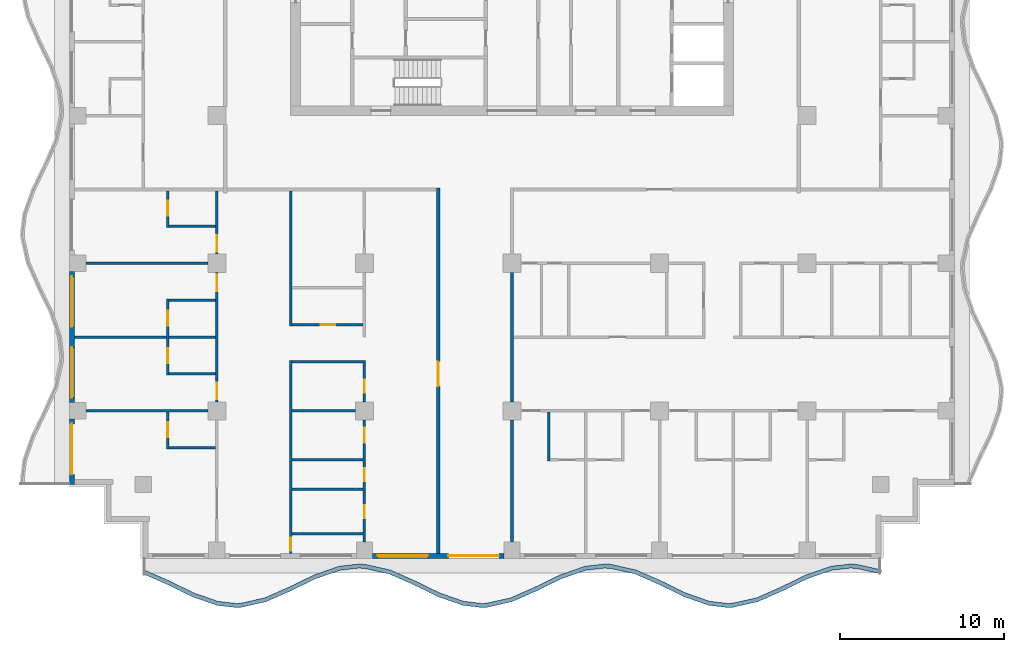
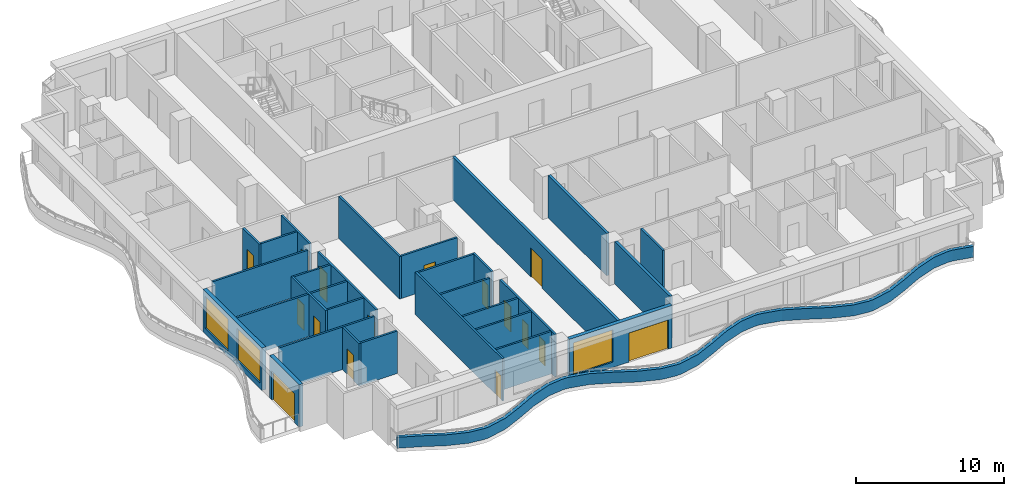
# One storey, part 2 of 12: 31 walls, 16 doors, 3 windows, 19 openings.
"""IFC4 building model written with IfcOpenShell, lengths in metres."""

from ifc_helpers import new_model, si_unit, direction, frame, frame_2d, origin, place, context, subcontext, project, spatial, polyline, rectangle, outline, extrude, material, layer, layer_set, type_object, element, fill, save


model = new_model("IFC4")

# Units and contexts
model_context = context("Model", 3, precision=1e-05, world=origin(), true_north=direction((0.0, 1.0)))
body_context = subcontext(model_context, "Body", "Model", "MODEL_VIEW")
ifc_project = project(units=[si_unit("LENGTHUNIT", "METRE"), si_unit("AREAUNIT", "SQUARE_METRE"), si_unit("VOLUMEUNIT", "CUBIC_METRE"), si_unit("PLANEANGLEUNIT", "RADIAN"), si_unit("MASSUNIT", "GRAM", prefix="KILO")], contexts=[model_context])

# Site, building, storey
site_placement = place(None, origin())
site = spatial("IfcSite", under=ifc_project, at=site_placement, CompositionType="ELEMENT")
building_placement = place(site_placement, origin())
building = spatial("IfcBuilding", under=site, at=building_placement, Name="Orbiselva Terraces", CompositionType="ELEMENT")
storey_placement = place(building_placement, frame((0.0, 0.0, 207.2)))
storey = spatial("IfcBuildingStorey", under=building, at=storey_placement, Name="L52", CompositionType="ELEMENT", Elevation=207.2)

# Wall
ifc_material_1 = material(Name="Concrete C40/50", Category="concrete")
ifc_layer_1 = layer(ifc_material_1, 0.25)
ifc_layer_set_1 = layer_set([ifc_layer_1], Name="Concrete C40/50")
wall_type_1 = type_object("IfcWallType", Name="ENV-PLANTER-250x900", PredefinedType="USERDEFINED", material=ifc_layer_set_1)
wall_1_placement = place(storey_placement, origin())
element("IfcWall", 1, at=wall_1_placement, inside=storey, type_object=wall_type_1, Name="Balcony planter L52 S", ObjectType="PLANTER", PredefinedType="USERDEFINED", context=body_context, shape_type="SweptSolid", body=[
    extrude(outline(polyline([(-22.5, -23.451472), (-21.0, -24.112279), (-19.5, -24.844789), (-18.0, -25.369208), (-16.875, -25.5), (-16.5, -25.485226), (-15.0, -25.148528), (-13.5, -24.487721), (-12.0, -23.755211), (-10.5, -23.230792), (-9.375, -23.1), (-9.0, -23.114774), (-7.5, -23.451472), (-6.0, -24.112279), (-4.5, -24.844789), (-3.0, -25.369208), (-1.875, -25.5), (-1.5, -25.485226), (0.0, -25.148528), (1.5, -24.487721), (3.0, -23.755211), (4.5, -23.230792), (5.625, -23.1), (6.0, -23.114774), (7.5, -23.451472), (9.0, -24.112279), (10.5, -24.844789), (12.0, -25.369208), (13.125, -25.5), (13.5, -25.485226), (15.0, -25.148528), (16.5, -24.487721), (18.0, -23.755211), (19.5, -23.230792), (20.625, -23.1), (21.0, -23.114774), (22.5, -23.451472), (22.554754, -23.207542), (21.032565, -22.865863), (20.615428, -22.849429), (19.443629, -22.985662), (17.90356, -23.524089), (16.394714, -24.260919), (14.921492, -24.90993), (13.467435, -25.236315), (13.134572, -25.249429), (12.056371, -25.124078), (10.59644, -24.613667), (9.105286, -23.885477), (7.578508, -23.212874), (6.032565, -22.865863), (5.615428, -22.849429), (4.443629, -22.985662), (2.90356, -23.524089), (1.394714, -24.260919), (-0.078508, -24.90993), (-1.532565, -25.236315), (-1.865428, -25.249429), (-2.943629, -25.124078), (-4.40356, -24.613667), (-5.894714, -23.885477), (-7.421492, -23.212874), (-8.967435, -22.865863), (-9.384572, -22.849429), (-10.556371, -22.985662), (-12.09644, -23.524089), (-13.605286, -24.260919), (-15.078508, -24.90993), (-16.532565, -25.236315), (-16.865428, -25.249429), (-17.943629, -25.124078), (-19.40356, -24.613667), (-20.894714, -23.885477), (-22.399212, -23.222689), (-22.5, -23.451472)])), origin(), (0.0, 0.0, 1.0), 0.9),
])

# Wall, openings, door, window
ifc_material_2 = material(Name="Terracotta cladding on masonry backing", Category="masonry")
ifc_layer_2 = layer(ifc_material_2, 0.3)
ifc_layer_set_2 = layer_set([ifc_layer_2], Name="Terracotta cladding on masonry backing")
wall_type_2 = type_object("IfcWallType", Name="ENV-WALL-TERRACOTTA-300", PredefinedType="SOLIDWALL", material=ifc_layer_set_2)
wall_2_placement = place(storey_placement, frame((-0.5, -22.35, 0.0), z_axis=(0.0, 0.0, 1.0), x_axis=(-1.0, 0.0, 0.0)))
wall_2 = element("IfcWall", 2, at=wall_2_placement, inside=storey, type_object=wall_type_2, Name="Facade wall L52 S", PredefinedType="SOLIDWALL", context=body_context, shape_type="SweptSolid", body=[
    extrude(rectangle(XDim=8.0, YDim=0.3, at=frame_2d((4.0, 0.0))), origin(), (0.0, 0.0, 1.0), 3.5),
])
opening_1_placement = place(wall_2_placement, frame((4.625, 0.0, 0.45)))
opening_1 = element("IfcOpeningElement", 3, at=opening_1_placement, cuts=wall_2, Name="Opening WN15", PredefinedType="OPENING", context=body_context, shape_type="SweptSolid", body=[
    extrude(rectangle(XDim=3.075, YDim=2.65, at=frame_2d((1.5375, 1.325))), frame((0.0, 0.16, 0.0), z_axis=(0.0, -1.0, 0.0), x_axis=(1.0, 0.0, 0.0)), (0.0, 0.0, 1.0), 0.32),
])
opening_2_placement = place(wall_2_placement, frame((0.3, 0.0, 0.0)))
opening_2 = element("IfcOpeningElement", 4, at=opening_2_placement, cuts=wall_2, Name="Opening Z4-C-E02", PredefinedType="OPENING", context=body_context, shape_type="SweptSolid", body=[
    extrude(rectangle(XDim=3.075, YDim=2.4, at=frame_2d((1.5375, 1.2))), frame((0.0, 0.16, 0.0), z_axis=(0.0, -1.0, 0.0), x_axis=(1.0, 0.0, 0.0)), (0.0, 0.0, 1.0), 0.32),
])
ifc_material_3 = material(Name="Clear low-e glazing in aluminium frame", Category="aluminium")
door_type_1 = type_object("IfcDoorType", Name="BALCONY DOOR 3075 X 2400", OperationType="DOUBLE_DOOR_SLIDING", PredefinedType="DOOR", material=ifc_material_3)
door_1_placement = place(opening_2_placement, origin())
door_1 = element("IfcDoor", 5, at=door_1_placement, inside=storey, type_object=door_type_1, Name="Z4-C-E02", OperationType="SINGLE_SWING_LEFT", OverallHeight=2.4, OverallWidth=3.075, PredefinedType="DOOR", context=body_context, shape_type="SweptSolid", body=[
    extrude(rectangle(XDim=3.075, YDim=2.4, at=frame_2d((1.5375, 1.2))), frame((0.0, 0.025, 0.0), z_axis=(0.0, -1.0, 0.0), x_axis=(1.0, 0.0, 0.0)), (0.0, 0.0, 1.0), 0.05),
])
fill(opening_2, door_1)
window_type = type_object("IfcWindowType", Name="WINDOW 3075 X 2650 S450", PartitioningType="TRIPLE_PANEL_VERTICAL", PredefinedType="WINDOW", material=ifc_material_3)
window_1_placement = place(opening_1_placement, origin())
window_1 = element("IfcWindow", 6, at=window_1_placement, inside=storey, type_object=window_type, Name="Window L52 S", OverallHeight=2.65, OverallWidth=3.075, PartitioningType="SINGLE_PANEL", PredefinedType="WINDOW", context=body_context, shape_type="SweptSolid", body=[
    extrude(rectangle(XDim=3.075, YDim=2.65, at=frame_2d((1.5375, 1.325))), frame((0.0, 0.03, 0.0), z_axis=(0.0, -1.0, 0.0), x_axis=(1.0, 0.0, 0.0)), (0.0, 0.0, 1.0), 0.06),
])
fill(opening_1, window_1)

# Wall, openings, windows
wall_3_placement = place(storey_placement, frame((-26.85, -13.0, 0.0), z_axis=(0.0, 0.0, 1.0), x_axis=(0.0, 1.0, 0.0)))
wall_3 = element("IfcWall", 7, at=wall_3_placement, inside=storey, type_object=wall_type_2, Name="Facade wall L52 W", PredefinedType="SOLIDWALL", context=body_context, shape_type="SweptSolid", body=[
    extrude(rectangle(XDim=8.0, YDim=0.3, at=frame_2d((4.0, 0.0))), origin(), (0.0, 0.0, 1.0), 3.5),
])
opening_3_placement = place(wall_3_placement, frame((4.625, 0.0, 0.45)))
opening_3 = element("IfcOpeningElement", 8, at=opening_3_placement, cuts=wall_3, Name="Opening WN15", PredefinedType="OPENING", context=body_context, shape_type="SweptSolid", body=[
    extrude(rectangle(XDim=3.075, YDim=2.65, at=frame_2d((1.5375, 1.325))), frame((0.0, 0.16, 0.0), z_axis=(0.0, -1.0, 0.0), x_axis=(1.0, 0.0, 0.0)), (0.0, 0.0, 1.0), 0.32),
])
opening_4_placement = place(wall_3_placement, frame((0.3, 0.0, 0.45)))
opening_4 = element("IfcOpeningElement", 9, at=opening_4_placement, cuts=wall_3, Name="Opening WN15", PredefinedType="OPENING", context=body_context, shape_type="SweptSolid", body=[
    extrude(rectangle(XDim=3.075, YDim=2.65, at=frame_2d((1.5375, 1.325))), frame((0.0, 0.16, 0.0), z_axis=(0.0, -1.0, 0.0), x_axis=(1.0, 0.0, 0.0)), (0.0, 0.0, 1.0), 0.32),
])
window_2_placement = place(opening_3_placement, origin())
window_2 = element("IfcWindow", 10, at=window_2_placement, inside=storey, type_object=window_type, Name="Window L52 W", OverallHeight=2.65, OverallWidth=3.075, PartitioningType="SINGLE_PANEL", PredefinedType="WINDOW", context=body_context, shape_type="SweptSolid", body=[
    extrude(rectangle(XDim=3.075, YDim=2.65, at=frame_2d((1.5375, 1.325))), frame((0.0, 0.03, 0.0), z_axis=(0.0, -1.0, 0.0), x_axis=(1.0, 0.0, 0.0)), (0.0, 0.0, 1.0), 0.06),
])
fill(opening_3, window_2)
window_3_placement = place(opening_4_placement, origin())
window_3 = element("IfcWindow", 11, at=window_3_placement, inside=storey, type_object=window_type, Name="Window L52 W", OverallHeight=2.65, OverallWidth=3.075, PartitioningType="SINGLE_PANEL", PredefinedType="WINDOW", context=body_context, shape_type="SweptSolid", body=[
    extrude(rectangle(XDim=3.075, YDim=2.65, at=frame_2d((1.5375, 1.325))), frame((0.0, 0.03, 0.0), z_axis=(0.0, -1.0, 0.0), x_axis=(1.0, 0.0, 0.0)), (0.0, 0.0, 1.0), 0.06),
])
fill(opening_4, window_3)

# Wall, opening, door
wall_4_placement = place(storey_placement, frame((-26.85, -18.0, 0.0), z_axis=(0.0, 0.0, 1.0), x_axis=(0.0, 1.0, 0.0)))
wall_4 = element("IfcWall", 12, at=wall_4_placement, inside=storey, type_object=wall_type_2, Name="Facade wall L52 W", PredefinedType="SOLIDWALL", context=body_context, shape_type="SweptSolid", body=[
    extrude(rectangle(XDim=4.0, YDim=0.3, at=frame_2d((2.0, 0.0))), origin(), (0.0, 0.0, 1.0), 3.5),
])
opening_5_placement = place(wall_4_placement, frame((0.625, 0.0, 0.0)))
opening_5 = element("IfcOpeningElement", 13, at=opening_5_placement, cuts=wall_4, Name="Opening Z4-C-E12", PredefinedType="OPENING", context=body_context, shape_type="SweptSolid", body=[
    extrude(rectangle(XDim=3.075, YDim=2.4, at=frame_2d((1.5375, 1.2))), frame((0.0, 0.16, 0.0), z_axis=(0.0, -1.0, 0.0), x_axis=(1.0, 0.0, 0.0)), (0.0, 0.0, 1.0), 0.32),
])
door_2_placement = place(opening_5_placement, origin())
door_2 = element("IfcDoor", 14, at=door_2_placement, inside=storey, type_object=door_type_1, Name="Z4-C-E12", OperationType="SINGLE_SWING_LEFT", OverallHeight=2.4, OverallWidth=3.075, PredefinedType="DOOR", context=body_context, shape_type="SweptSolid", body=[
    extrude(rectangle(XDim=3.075, YDim=2.4, at=frame_2d((1.5375, 1.2))), frame((0.0, 0.025, 0.0), z_axis=(0.0, -1.0, 0.0), x_axis=(1.0, 0.0, 0.0)), (0.0, 0.0, 1.0), 0.05),
])
fill(opening_5, door_2)

ifc_material_4 = material(Name="Plasterboard on steel stud partition", Category="steel")
ifc_layer_3 = layer(ifc_material_4, 0.2)
ifc_layer_set_3 = layer_set([ifc_layer_3], Name="Plasterboard on steel stud partition")
wall_type_3 = type_object("IfcWallType", Name="UNIT-ENTRANCE-WALL-200", PredefinedType="PARTITIONING", material=ifc_layer_set_3)
wall_5_placement = place(storey_placement, frame((-4.5, -22.2, 0.0), z_axis=(0.0, 0.0, 1.0), x_axis=(0.0, 1.0, 0.0)))
wall_5 = element("IfcWall", 15, at=wall_5_placement, inside=storey, type_object=wall_type_3, Name="PARTITION L52-068", PredefinedType="PARTITIONING", context=body_context, shape_type="SweptSolid", body=[
    extrude(rectangle(XDim=22.3, YDim=0.2, at=frame_2d((11.15, 0.0))), origin(), (0.0, 0.0, 1.0), 3.5),
])
opening_6_placement = place(wall_5_placement, frame((10.2, 0.0, 0.0)))
opening_6 = element("IfcOpeningElement", 16, at=opening_6_placement, cuts=wall_5, Name="Opening Z4-C-18", PredefinedType="OPENING", context=body_context, shape_type="SweptSolid", body=[
    extrude(rectangle(XDim=1.5, YDim=2.4, at=frame_2d((0.75, 1.2))), frame((0.0, 0.11, 0.0), z_axis=(0.0, -1.0, 0.0), x_axis=(1.0, 0.0, 0.0)), (0.0, 0.0, 1.0), 0.22),
])
ifc_material_5 = material(Name="Painted timber door leaf", Category="wood")
door_type_2 = type_object("IfcDoorType", Name="ENTRANCE DOUBLE DOOR 1500", OperationType="NOTDEFINED", PredefinedType="DOOR", material=ifc_material_5)
door_3_placement = place(opening_6_placement, origin())
door_3 = element("IfcDoor", 17, at=door_3_placement, inside=storey, type_object=door_type_2, Name="Z4-C-18", OperationType="DOUBLE_DOOR_SINGLE_SWING", OverallHeight=2.4, OverallWidth=1.5, PredefinedType="DOOR", context=body_context, shape_type="SweptSolid", body=[
    extrude(rectangle(XDim=1.5, YDim=2.4, at=frame_2d((0.75, 1.2))), frame((0.0, 0.025, 0.0), z_axis=(0.0, -1.0, 0.0), x_axis=(1.0, 0.0, 0.0)), (0.0, 0.0, 1.0), 0.05),
])
fill(opening_6, door_3)

# Walls
wall_6_placement = place(storey_placement, frame((0.0, -21.5, 0.0), z_axis=(0.0, 0.0, 1.0), x_axis=(0.0, 1.0, 0.0)))
element("IfcWall", 18, at=wall_6_placement, inside=storey, type_object=wall_type_3, Name="PARTITION L52-069", PredefinedType="PARTITIONING", context=body_context, shape_type="SweptSolid", body=[
    extrude(rectangle(XDim=7.45, YDim=0.2, at=frame_2d((3.725, 0.0))), origin(), (0.0, 0.0, 1.0), 3.5),
])
wall_7_placement = place(storey_placement, frame((0.0, -12.95, 0.0), z_axis=(0.0, 0.0, 1.0), x_axis=(0.0, 1.0, 0.0)))
element("IfcWall", 19, at=wall_7_placement, inside=storey, type_object=wall_type_3, Name="PARTITION L52-070", PredefinedType="PARTITIONING", context=body_context, shape_type="SweptSolid", body=[
    extrude(rectangle(XDim=7.9, YDim=0.2, at=frame_2d((3.95, 0.0))), origin(), (0.0, 0.0, 1.0), 3.5),
])
ifc_layer_4 = layer(ifc_material_4, 0.15)
ifc_layer_set_4 = layer_set([ifc_layer_4], Name="Plasterboard on steel stud partition")
wall_type_4 = type_object("IfcWallType", Name="UNIT-PARTITION-150", PredefinedType="PARTITIONING", material=ifc_layer_set_4)
for number, where, z_axis, x_axis, name in (
    (20, (-13.425, -21.0, 0.0), (0.0, 0.0, 1.0), (1.0, 0.0, 0.0), "PARTITION L52-001"),
    (21, (-13.425, -18.3, 0.0), (0.0, 0.0, 1.0), (1.0, 0.0, 0.0), "PARTITION L52-002"),
    (22, (-13.425, -16.5, 0.0), (0.0, 0.0, 1.0), (1.0, 0.0, 0.0), "PARTITION L52-003"),
):
    element("IfcWall", number, at=place(storey_placement, frame(where, z_axis=z_axis, x_axis=x_axis)), inside=storey, type_object=wall_type_4, Name=name, PredefinedType="PARTITIONING", context=body_context, shape_type="SweptSolid", body=[
        extrude(rectangle(XDim=4.35, YDim=0.15, at=frame_2d((2.175, 0.0))), origin(), (0.0, 0.0, 1.0), 3.5),
    ])
wall_8_placement = place(storey_placement, frame((-20.925, -15.75, 0.0), z_axis=(0.0, 0.0, 1.0), x_axis=(1.0, 0.0, 0.0)))
element("IfcWall", 23, at=wall_8_placement, inside=storey, type_object=wall_type_4, Name="PARTITION L52-009", PredefinedType="PARTITIONING", context=body_context, shape_type="SweptSolid", body=[
    extrude(rectangle(XDim=2.85, YDim=0.15, at=frame_2d((1.425, 0.0))), origin(), (0.0, 0.0, 1.0), 3.5),
])
wall_9_placement = place(storey_placement, frame((-26.0, -13.5, 0.0), z_axis=(0.0, 0.0, 1.0), x_axis=(1.0, 0.0, 0.0)))
element("IfcWall", 24, at=wall_9_placement, inside=storey, type_object=wall_type_4, Name="PARTITION L52-010", PredefinedType="PARTITIONING", context=body_context, shape_type="SweptSolid", body=[
    extrude(rectangle(XDim=7.45, YDim=0.15, at=frame_2d((3.725, 0.0))), origin(), (0.0, 0.0, 1.0), 3.5),
])
wall_10_placement = place(storey_placement, frame((-13.425, -13.5, 0.0), z_axis=(0.0, 0.0, 1.0), x_axis=(1.0, 0.0, 0.0)))
element("IfcWall", 25, at=wall_10_placement, inside=storey, type_object=wall_type_4, Name="PARTITION L52-011", PredefinedType="PARTITIONING", context=body_context, shape_type="SweptSolid", body=[
    extrude(rectangle(XDim=3.875, YDim=0.15, at=frame_2d((1.9375, 0.0))), origin(), (0.0, 0.0, 1.0), 3.5),
])
wall_11_placement = place(storey_placement, frame((-20.925, -11.25, 0.0), z_axis=(0.0, 0.0, 1.0), x_axis=(1.0, 0.0, 0.0)))
element("IfcWall", 26, at=wall_11_placement, inside=storey, type_object=wall_type_4, Name="PARTITION L52-015", PredefinedType="PARTITIONING", context=body_context, shape_type="SweptSolid", body=[
    extrude(rectangle(XDim=2.85, YDim=0.15, at=frame_2d((1.425, 0.0))), origin(), (0.0, 0.0, 1.0), 3.5),
])
wall_12_placement = place(storey_placement, frame((-13.425, -10.5, 0.0), z_axis=(0.0, 0.0, 1.0), x_axis=(1.0, 0.0, 0.0)))
element("IfcWall", 27, at=wall_12_placement, inside=storey, type_object=wall_type_4, Name="PARTITION L52-016", PredefinedType="PARTITIONING", context=body_context, shape_type="SweptSolid", body=[
    extrude(rectangle(XDim=4.35, YDim=0.15, at=frame_2d((2.175, 0.0))), origin(), (0.0, 0.0, 1.0), 3.5),
])
wall_13_placement = place(storey_placement, frame((-26.7, -9.0, 0.0), z_axis=(0.0, 0.0, 1.0), x_axis=(1.0, 0.0, 0.0)))
element("IfcWall", 28, at=wall_13_placement, inside=storey, type_object=wall_type_4, Name="PARTITION L52-017", PredefinedType="PARTITIONING", context=body_context, shape_type="SweptSolid", body=[
    extrude(rectangle(XDim=5.625, YDim=0.15, at=frame_2d((2.8125, 0.0))), origin(), (0.0, 0.0, 1.0), 3.5),
])
wall_14_placement = place(storey_placement, frame((-20.925, -9.0, 0.0), z_axis=(0.0, 0.0, 1.0), x_axis=(1.0, 0.0, 0.0)))
element("IfcWall", 29, at=wall_14_placement, inside=storey, type_object=wall_type_4, Name="PARTITION L52-018", PredefinedType="PARTITIONING", context=body_context, shape_type="SweptSolid", body=[
    extrude(rectangle(XDim=2.85, YDim=0.15, at=frame_2d((1.425, 0.0))), origin(), (0.0, 0.0, 1.0), 3.5),
])

# Wall, opening, door
wall_15_placement = place(storey_placement, frame((-13.425, -8.25, 0.0), z_axis=(0.0, 0.0, 1.0), x_axis=(1.0, 0.0, 0.0)))
wall_15 = element("IfcWall", 30, at=wall_15_placement, inside=storey, type_object=wall_type_4, Name="PARTITION L52-021", PredefinedType="PARTITIONING", context=body_context, shape_type="SweptSolid", body=[
    extrude(rectangle(XDim=4.35, YDim=0.15, at=frame_2d((2.175, 0.0))), origin(), (0.0, 0.0, 1.0), 3.5),
])
opening_7_placement = place(wall_15_placement, frame((1.75, 0.0, 0.0)))
opening_7 = element("IfcOpeningElement", 31, at=opening_7_placement, cuts=wall_15, Name="Opening Z4-C-20", PredefinedType="OPENING", context=body_context, shape_type="SweptSolid", body=[
    extrude(rectangle(XDim=0.9, YDim=2.1, at=frame_2d((0.45, 1.05))), frame((0.0, 0.085, 0.0), z_axis=(0.0, -1.0, 0.0), x_axis=(1.0, 0.0, 0.0)), (0.0, 0.0, 1.0), 0.17),
])
door_type_3 = type_object("IfcDoorType", Name="BATH DOOR 900", OperationType="NOTDEFINED", PredefinedType="DOOR", material=ifc_material_5)
door_4_placement = place(opening_7_placement, origin())
door_4 = element("IfcDoor", 32, at=door_4_placement, inside=storey, type_object=door_type_3, Name="Z4-C-20", OperationType="SINGLE_SWING_RIGHT", OverallHeight=2.1, OverallWidth=0.9, PredefinedType="DOOR", context=body_context, shape_type="SweptSolid", body=[
    extrude(rectangle(XDim=0.9, YDim=2.1, at=frame_2d((0.45, 1.05))), frame((0.0, 0.025, 0.0), z_axis=(0.0, -1.0, 0.0), x_axis=(1.0, 0.0, 0.0)), (0.0, 0.0, 1.0), 0.05),
])
fill(opening_7, door_4)

# Walls
wall_16_placement = place(storey_placement, frame((-20.925, -6.75, 0.0), z_axis=(0.0, 0.0, 1.0), x_axis=(1.0, 0.0, 0.0)))
element("IfcWall", 33, at=wall_16_placement, inside=storey, type_object=wall_type_4, Name="PARTITION L52-022", PredefinedType="PARTITIONING", context=body_context, shape_type="SweptSolid", body=[
    extrude(rectangle(XDim=2.85, YDim=0.15, at=frame_2d((1.425, 0.0))), origin(), (0.0, 0.0, 1.0), 3.5),
])
wall_17_placement = place(storey_placement, frame((-26.0, -4.5, 0.0), z_axis=(0.0, 0.0, 1.0), x_axis=(1.0, 0.0, 0.0)))
element("IfcWall", 34, at=wall_17_placement, inside=storey, type_object=wall_type_4, Name="PARTITION L52-024", PredefinedType="PARTITIONING", context=body_context, shape_type="SweptSolid", body=[
    extrude(rectangle(XDim=7.45, YDim=0.15, at=frame_2d((3.725, 0.0))), origin(), (0.0, 0.0, 1.0), 3.5),
])
wall_18_placement = place(storey_placement, frame((-20.925, -2.25, 0.0), z_axis=(0.0, 0.0, 1.0), x_axis=(1.0, 0.0, 0.0)))
element("IfcWall", 35, at=wall_18_placement, inside=storey, type_object=wall_type_4, Name="PARTITION L52-029", PredefinedType="PARTITIONING", context=body_context, shape_type="SweptSolid", body=[
    extrude(rectangle(XDim=2.85, YDim=0.15, at=frame_2d((1.425, 0.0))), origin(), (0.0, 0.0, 1.0), 3.5),
])

# Wall, opening, door
wall_19_placement = place(storey_placement, frame((-21.0, -13.575, 0.0), z_axis=(0.0, 0.0, 1.0), x_axis=(0.0, -1.0, 0.0)))
wall_19 = element("IfcWall", 36, at=wall_19_placement, inside=storey, type_object=wall_type_4, Name="PARTITION L52-053", PredefinedType="PARTITIONING", context=body_context, shape_type="SweptSolid", body=[
    extrude(rectangle(XDim=2.25, YDim=0.15, at=frame_2d((1.125, 0.0))), origin(), (0.0, 0.0, 1.0), 3.5),
])
opening_8_placement = place(wall_19_placement, frame((0.625, 0.0, 0.0)))
opening_8 = element("IfcOpeningElement", 37, at=opening_8_placement, cuts=wall_19, Name="Opening Z4-C-33", PredefinedType="OPENING", context=body_context, shape_type="SweptSolid", body=[
    extrude(rectangle(XDim=0.9, YDim=2.1, at=frame_2d((0.45, 1.05))), frame((0.0, 0.085, 0.0), z_axis=(0.0, -1.0, 0.0), x_axis=(1.0, 0.0, 0.0)), (0.0, 0.0, 1.0), 0.17),
])
door_5_placement = place(opening_8_placement, origin())
door_5 = element("IfcDoor", 38, at=door_5_placement, inside=storey, type_object=door_type_3, Name="Z4-C-33", OperationType="SINGLE_SWING_LEFT", OverallHeight=2.1, OverallWidth=0.9, PredefinedType="DOOR", context=body_context, shape_type="SweptSolid", body=[
    extrude(rectangle(XDim=0.9, YDim=2.1, at=frame_2d((0.45, 1.05))), frame((0.0, 0.025, 0.0), z_axis=(0.0, -1.0, 0.0), x_axis=(1.0, 0.0, 0.0)), (0.0, 0.0, 1.0), 0.05),
])
fill(opening_8, door_5)

# Wall, openings, doors
wall_20_placement = place(storey_placement, frame((-21.0, -6.675, 0.0), z_axis=(0.0, 0.0, 1.0), x_axis=(0.0, -1.0, 0.0)))
wall_20 = element("IfcWall", 39, at=wall_20_placement, inside=storey, type_object=wall_type_4, Name="PARTITION L52-054", PredefinedType="PARTITIONING", context=body_context, shape_type="SweptSolid", body=[
    extrude(rectangle(XDim=4.65, YDim=0.15, at=frame_2d((2.325, 0.0))), origin(), (0.0, 0.0, 1.0), 3.5),
])
opening_9_placement = place(wall_20_placement, frame((0.725, 0.0, 0.0)))
opening_9 = element("IfcOpeningElement", 40, at=opening_9_placement, cuts=wall_20, Name="Opening Z4-C-29", PredefinedType="OPENING", context=body_context, shape_type="SweptSolid", body=[
    extrude(rectangle(XDim=0.9, YDim=2.1, at=frame_2d((0.45, 1.05))), frame((0.0, 0.085, 0.0), z_axis=(0.0, -1.0, 0.0), x_axis=(1.0, 0.0, 0.0)), (0.0, 0.0, 1.0), 0.17),
])
opening_10_placement = place(wall_20_placement, frame((3.025, 0.0, 0.0)))
opening_10 = element("IfcOpeningElement", 41, at=opening_10_placement, cuts=wall_20, Name="Opening Z4-C-31", PredefinedType="OPENING", context=body_context, shape_type="SweptSolid", body=[
    extrude(rectangle(XDim=0.9, YDim=2.1, at=frame_2d((0.45, 1.05))), frame((0.0, 0.085, 0.0), z_axis=(0.0, -1.0, 0.0), x_axis=(1.0, 0.0, 0.0)), (0.0, 0.0, 1.0), 0.17),
])
door_6_placement = place(opening_9_placement, origin())
door_6 = element("IfcDoor", 42, at=door_6_placement, inside=storey, type_object=door_type_3, Name="Z4-C-29", OperationType="SINGLE_SWING_LEFT", OverallHeight=2.1, OverallWidth=0.9, PredefinedType="DOOR", context=body_context, shape_type="SweptSolid", body=[
    extrude(rectangle(XDim=0.9, YDim=2.1, at=frame_2d((0.45, 1.05))), frame((0.0, 0.025, 0.0), z_axis=(0.0, -1.0, 0.0), x_axis=(1.0, 0.0, 0.0)), (0.0, 0.0, 1.0), 0.05),
])
fill(opening_9, door_6)
door_7_placement = place(opening_10_placement, origin())
door_7 = element("IfcDoor", 43, at=door_7_placement, inside=storey, type_object=door_type_3, Name="Z4-C-31", OperationType="SINGLE_SWING_RIGHT", OverallHeight=2.1, OverallWidth=0.9, PredefinedType="DOOR", context=body_context, shape_type="SweptSolid", body=[
    extrude(rectangle(XDim=0.9, YDim=2.1, at=frame_2d((0.45, 1.05))), frame((0.0, 0.025, 0.0), z_axis=(0.0, -1.0, 0.0), x_axis=(1.0, 0.0, 0.0)), (0.0, 0.0, 1.0), 0.05),
])
fill(opening_10, door_7)

# Wall, opening, door
wall_21_placement = place(storey_placement, frame((-21.0, -0.1, 0.0), z_axis=(0.0, 0.0, 1.0), x_axis=(0.0, -1.0, 0.0)))
wall_21 = element("IfcWall", 44, at=wall_21_placement, inside=storey, type_object=wall_type_4, Name="PARTITION L52-055", PredefinedType="PARTITIONING", context=body_context, shape_type="SweptSolid", body=[
    extrude(rectangle(XDim=2.225, YDim=0.15, at=frame_2d((1.1125, 0.0))), origin(), (0.0, 0.0, 1.0), 3.5),
])
opening_11_placement = place(wall_21_placement, frame((0.6, 0.0, 0.0)))
opening_11 = element("IfcOpeningElement", 45, at=opening_11_placement, cuts=wall_21, Name="Opening Z4-C-27", PredefinedType="OPENING", context=body_context, shape_type="SweptSolid", body=[
    extrude(rectangle(XDim=0.9, YDim=2.1, at=frame_2d((0.45, 1.05))), frame((0.0, 0.085, 0.0), z_axis=(0.0, -1.0, 0.0), x_axis=(1.0, 0.0, 0.0)), (0.0, 0.0, 1.0), 0.17),
])
door_8_placement = place(opening_11_placement, origin())
door_8 = element("IfcDoor", 46, at=door_8_placement, inside=storey, type_object=door_type_3, Name="Z4-C-27", OperationType="SINGLE_SWING_LEFT", OverallHeight=2.1, OverallWidth=0.9, PredefinedType="DOOR", context=body_context, shape_type="SweptSolid", body=[
    extrude(rectangle(XDim=0.9, YDim=2.1, at=frame_2d((0.45, 1.05))), frame((0.0, 0.025, 0.0), z_axis=(0.0, -1.0, 0.0), x_axis=(1.0, 0.0, 0.0)), (0.0, 0.0, 1.0), 0.05),
])
fill(opening_11, door_8)

# Wall, openings, doors
wall_22_placement = place(storey_placement, frame((-18.0, -12.95, 0.0), z_axis=(0.0, 0.0, 1.0), x_axis=(0.0, 1.0, 0.0)))
wall_22 = element("IfcWall", 47, at=wall_22_placement, inside=storey, type_object=wall_type_4, Name="PARTITION L52-057", PredefinedType="PARTITIONING", context=body_context, shape_type="SweptSolid", body=[
    extrude(rectangle(XDim=7.9, YDim=0.15, at=frame_2d((3.95, 0.0))), origin(), (0.0, 0.0, 1.0), 3.5),
])
opening_12_placement = place(wall_22_placement, frame((6.75, 0.0, 0.0)))
opening_12 = element("IfcOpeningElement", 48, at=opening_12_placement, cuts=wall_22, Name="Opening Z4-C-28", PredefinedType="OPENING", context=body_context, shape_type="SweptSolid", body=[
    extrude(rectangle(XDim=1.0, YDim=2.4, at=frame_2d((0.5, 1.2))), frame((0.0, 0.085, 0.0), z_axis=(0.0, -1.0, 0.0), x_axis=(1.0, 0.0, 0.0)), (0.0, 0.0, 1.0), 0.17),
])
opening_13_placement = place(wall_22_placement, frame((0.15, 0.0, 0.0)))
opening_13 = element("IfcOpeningElement", 49, at=opening_13_placement, cuts=wall_22, Name="Opening Z4-C-30", PredefinedType="OPENING", context=body_context, shape_type="SweptSolid", body=[
    extrude(rectangle(XDim=1.0, YDim=2.4, at=frame_2d((0.5, 1.2))), frame((0.0, 0.085, 0.0), z_axis=(0.0, -1.0, 0.0), x_axis=(1.0, 0.0, 0.0)), (0.0, 0.0, 1.0), 0.17),
])
door_type_4 = type_object("IfcDoorType", Name="ROOM DOOR 1000", OperationType="NOTDEFINED", PredefinedType="DOOR", material=ifc_material_5)
door_9_placement = place(opening_12_placement, origin())
door_9 = element("IfcDoor", 50, at=door_9_placement, inside=storey, type_object=door_type_4, Name="Z4-C-28", OperationType="SINGLE_SWING_RIGHT", OverallHeight=2.4, OverallWidth=1.0, PredefinedType="DOOR", context=body_context, shape_type="SweptSolid", body=[
    extrude(rectangle(XDim=1.0, YDim=2.4, at=frame_2d((0.5, 1.2))), frame((0.0, 0.025, 0.0), z_axis=(0.0, -1.0, 0.0), x_axis=(1.0, 0.0, 0.0)), (0.0, 0.0, 1.0), 0.05),
])
fill(opening_12, door_9)
door_10_placement = place(opening_13_placement, origin())
door_10 = element("IfcDoor", 51, at=door_10_placement, inside=storey, type_object=door_type_4, Name="Z4-C-30", OperationType="SINGLE_SWING_LEFT", OverallHeight=2.4, OverallWidth=1.0, PredefinedType="DOOR", context=body_context, shape_type="SweptSolid", body=[
    extrude(rectangle(XDim=1.0, YDim=2.4, at=frame_2d((0.5, 1.2))), frame((0.0, 0.025, 0.0), z_axis=(0.0, -1.0, 0.0), x_axis=(1.0, 0.0, 0.0)), (0.0, 0.0, 1.0), 0.05),
])
fill(opening_13, door_10)

# Wall, opening, door
wall_23_placement = place(storey_placement, frame((-18.0, -3.95, 0.0), z_axis=(0.0, 0.0, 1.0), x_axis=(0.0, 1.0, 0.0)))
wall_23 = element("IfcWall", 52, at=wall_23_placement, inside=storey, type_object=wall_type_4, Name="PARTITION L52-058", PredefinedType="PARTITIONING", context=body_context, shape_type="SweptSolid", body=[
    extrude(rectangle(XDim=3.85, YDim=0.15, at=frame_2d((1.925, 0.0))), origin(), (0.0, 0.0, 1.0), 3.5),
])
opening_14_placement = place(wall_23_placement, frame((0.15, 0.0, 0.0)))
opening_14 = element("IfcOpeningElement", 53, at=opening_14_placement, cuts=wall_23, Name="Opening Z4-C-26", PredefinedType="OPENING", context=body_context, shape_type="SweptSolid", body=[
    extrude(rectangle(XDim=1.0, YDim=2.4, at=frame_2d((0.5, 1.2))), frame((0.0, 0.085, 0.0), z_axis=(0.0, -1.0, 0.0), x_axis=(1.0, 0.0, 0.0)), (0.0, 0.0, 1.0), 0.17),
])
door_11_placement = place(opening_14_placement, origin())
door_11 = element("IfcDoor", 54, at=door_11_placement, inside=storey, type_object=door_type_4, Name="Z4-C-26", OperationType="SINGLE_SWING_LEFT", OverallHeight=2.4, OverallWidth=1.0, PredefinedType="DOOR", context=body_context, shape_type="SweptSolid", body=[
    extrude(rectangle(XDim=1.0, YDim=2.4, at=frame_2d((0.5, 1.2))), frame((0.0, 0.025, 0.0), z_axis=(0.0, -1.0, 0.0), x_axis=(1.0, 0.0, 0.0)), (0.0, 0.0, 1.0), 0.05),
])
fill(opening_14, door_11)

wall_24_placement = place(storey_placement, frame((-13.5, -10.425, 0.0), z_axis=(0.0, 0.0, 1.0), x_axis=(0.0, -1.0, 0.0)))
wall_24 = element("IfcWall", 55, at=wall_24_placement, inside=storey, type_object=wall_type_4, Name="PARTITION L52-062", PredefinedType="PARTITIONING", context=body_context, shape_type="SweptSolid", body=[
    extrude(rectangle(XDim=11.775, YDim=0.15, at=frame_2d((5.8875, 0.0))), origin(), (0.0, 0.0, 1.0), 3.5),
])
opening_15_placement = place(wall_24_placement, frame((10.825, 0.0, 0.0)))
opening_15 = element("IfcOpeningElement", 56, at=opening_15_placement, cuts=wall_24, Name="Opening Z4-C-25", PredefinedType="OPENING", context=body_context, shape_type="SweptSolid", body=[
    extrude(rectangle(XDim=0.8, YDim=2.0, at=frame_2d((0.4, 1.0))), frame((0.0, 0.085, 0.0), z_axis=(0.0, -1.0, 0.0), x_axis=(1.0, 0.0, 0.0)), (0.0, 0.0, 1.0), 0.17),
])
door_type_5 = type_object("IfcDoorType", Name="STORE DOOR 800", OperationType="NOTDEFINED", PredefinedType="DOOR", material=ifc_material_5)
door_12_placement = place(opening_15_placement, origin())
door_12 = element("IfcDoor", 57, at=door_12_placement, inside=storey, type_object=door_type_5, Name="Z4-C-25", OperationType="SINGLE_SWING_RIGHT", OverallHeight=2.0, OverallWidth=0.8, PredefinedType="DOOR", context=body_context, shape_type="SweptSolid", body=[
    extrude(rectangle(XDim=0.8, YDim=2.0, at=frame_2d((0.4, 1.0))), frame((0.0, 0.025, 0.0), z_axis=(0.0, -1.0, 0.0), x_axis=(1.0, 0.0, 0.0)), (0.0, 0.0, 1.0), 0.05),
])
fill(opening_15, door_12)

# Wall
wall_25_placement = place(storey_placement, frame((-13.5, -8.325, 0.0), z_axis=(0.0, 0.0, 1.0), x_axis=(0.0, 1.0, 0.0)))
element("IfcWall", 58, at=wall_25_placement, inside=storey, type_object=wall_type_4, Name="PARTITION L52-063", PredefinedType="PARTITIONING", context=body_context, shape_type="SweptSolid", body=[
    extrude(rectangle(XDim=8.225, YDim=0.15, at=frame_2d((4.1125, 0.0))), origin(), (0.0, 0.0, 1.0), 3.5),
])

# Wall, openings, doors
wall_26_placement = place(storey_placement, frame((-9.0, -21.5, 0.0), z_axis=(0.0, 0.0, 1.0), x_axis=(0.0, 1.0, 0.0)))
wall_26 = element("IfcWall", 59, at=wall_26_placement, inside=storey, type_object=wall_type_4, Name="PARTITION L52-064", PredefinedType="PARTITIONING", context=body_context, shape_type="SweptSolid", body=[
    extrude(rectangle(XDim=7.45, YDim=0.15, at=frame_2d((3.725, 0.0))), origin(), (0.0, 0.0, 1.0), 3.5),
])
opening_16_placement = place(wall_26_placement, frame((6.05, 0.0, 0.0)))
opening_16 = element("IfcOpeningElement", 60, at=opening_16_placement, cuts=wall_26, Name="Opening Z4-C-22", PredefinedType="OPENING", context=body_context, shape_type="SweptSolid", body=[
    extrude(rectangle(XDim=0.9, YDim=2.1, at=frame_2d((0.45, 1.05))), frame((0.0, 0.085, 0.0), z_axis=(0.0, -1.0, 0.0), x_axis=(1.0, 0.0, 0.0)), (0.0, 0.0, 1.0), 0.17),
])
opening_17_placement = place(wall_26_placement, frame((3.7, 0.0, 0.0)))
opening_17 = element("IfcOpeningElement", 61, at=opening_17_placement, cuts=wall_26, Name="Opening Z4-C-23", PredefinedType="OPENING", context=body_context, shape_type="SweptSolid", body=[
    extrude(rectangle(XDim=0.8, YDim=2.0, at=frame_2d((0.4, 1.0))), frame((0.0, 0.085, 0.0), z_axis=(0.0, -1.0, 0.0), x_axis=(1.0, 0.0, 0.0)), (0.0, 0.0, 1.0), 0.17),
])
opening_18_placement = place(wall_26_placement, frame((1.45, 0.0, 0.0)))
opening_18 = element("IfcOpeningElement", 62, at=opening_18_placement, cuts=wall_26, Name="Opening Z4-C-24", PredefinedType="OPENING", context=body_context, shape_type="SweptSolid", body=[
    extrude(rectangle(XDim=0.8, YDim=2.0, at=frame_2d((0.4, 1.0))), frame((0.0, 0.085, 0.0), z_axis=(0.0, -1.0, 0.0), x_axis=(1.0, 0.0, 0.0)), (0.0, 0.0, 1.0), 0.17),
])
door_type_6 = type_object("IfcDoorType", Name="SERVICE DOOR 900", OperationType="NOTDEFINED", PredefinedType="DOOR", material=ifc_material_5)
door_13_placement = place(opening_16_placement, origin())
door_13 = element("IfcDoor", 63, at=door_13_placement, inside=storey, type_object=door_type_6, Name="Z4-C-22", OperationType="SINGLE_SWING_RIGHT", OverallHeight=2.1, OverallWidth=0.9, PredefinedType="DOOR", context=body_context, shape_type="SweptSolid", body=[
    extrude(rectangle(XDim=0.9, YDim=2.1, at=frame_2d((0.45, 1.05))), frame((0.0, 0.025, 0.0), z_axis=(0.0, -1.0, 0.0), x_axis=(1.0, 0.0, 0.0)), (0.0, 0.0, 1.0), 0.05),
])
fill(opening_16, door_13)
door_14_placement = place(opening_17_placement, origin())
door_14 = element("IfcDoor", 64, at=door_14_placement, inside=storey, type_object=door_type_5, Name="Z4-C-23", OperationType="SINGLE_SWING_RIGHT", OverallHeight=2.0, OverallWidth=0.8, PredefinedType="DOOR", context=body_context, shape_type="SweptSolid", body=[
    extrude(rectangle(XDim=0.8, YDim=2.0, at=frame_2d((0.4, 1.0))), frame((0.0, 0.025, 0.0), z_axis=(0.0, -1.0, 0.0), x_axis=(1.0, 0.0, 0.0)), (0.0, 0.0, 1.0), 0.05),
])
fill(opening_17, door_14)
door_15_placement = place(opening_18_placement, origin())
door_15 = element("IfcDoor", 65, at=door_15_placement, inside=storey, type_object=door_type_5, Name="Z4-C-24", OperationType="SINGLE_SWING_LEFT", OverallHeight=2.0, OverallWidth=0.8, PredefinedType="DOOR", context=body_context, shape_type="SweptSolid", body=[
    extrude(rectangle(XDim=0.8, YDim=2.0, at=frame_2d((0.4, 1.0))), frame((0.0, 0.025, 0.0), z_axis=(0.0, -1.0, 0.0), x_axis=(1.0, 0.0, 0.0)), (0.0, 0.0, 1.0), 0.05),
])
fill(opening_18, door_15)

# Wall, opening, door
wall_27_placement = place(storey_placement, frame((-9.0, -12.95, 0.0), z_axis=(0.0, 0.0, 1.0), x_axis=(0.0, 1.0, 0.0)))
wall_27 = element("IfcWall", 66, at=wall_27_placement, inside=storey, type_object=wall_type_4, Name="PARTITION L52-065", PredefinedType="PARTITIONING", context=body_context, shape_type="SweptSolid", body=[
    extrude(rectangle(XDim=2.525, YDim=0.15, at=frame_2d((1.2625, 0.0))), origin(), (0.0, 0.0, 1.0), 3.5),
])
opening_19_placement = place(wall_27_placement, frame((0.55, 0.0, 0.0)))
opening_19 = element("IfcOpeningElement", 67, at=opening_19_placement, cuts=wall_27, Name="Opening Z4-C-21", PredefinedType="OPENING", context=body_context, shape_type="SweptSolid", body=[
    extrude(rectangle(XDim=0.8, YDim=2.0, at=frame_2d((0.4, 1.0))), frame((0.0, 0.085, 0.0), z_axis=(0.0, -1.0, 0.0), x_axis=(1.0, 0.0, 0.0)), (0.0, 0.0, 1.0), 0.17),
])
door_16_placement = place(opening_19_placement, origin())
door_16 = element("IfcDoor", 68, at=door_16_placement, inside=storey, type_object=door_type_5, Name="Z4-C-21", OperationType="SINGLE_SWING_LEFT", OverallHeight=2.0, OverallWidth=0.8, PredefinedType="DOOR", context=body_context, shape_type="SweptSolid", body=[
    extrude(rectangle(XDim=0.8, YDim=2.0, at=frame_2d((0.4, 1.0))), frame((0.0, 0.025, 0.0), z_axis=(0.0, -1.0, 0.0), x_axis=(1.0, 0.0, 0.0)), (0.0, 0.0, 1.0), 0.05),
])
fill(opening_19, door_16)

# Wall
wall_28_placement = place(storey_placement, frame((2.25, -16.575, 0.0), z_axis=(0.0, 0.0, 1.0), x_axis=(0.0, 1.0, 0.0)))
element("IfcWall", 69, at=wall_28_placement, inside=storey, type_object=wall_type_4, Name="PARTITION L52-073", PredefinedType="PARTITIONING", context=body_context, shape_type="SweptSolid", body=[
    extrude(rectangle(XDim=3.0, YDim=0.15, at=frame_2d((1.5, 0.0))), origin(), (0.0, 0.0, 1.0), 3.5),
])

save(model, "model.ifc")
